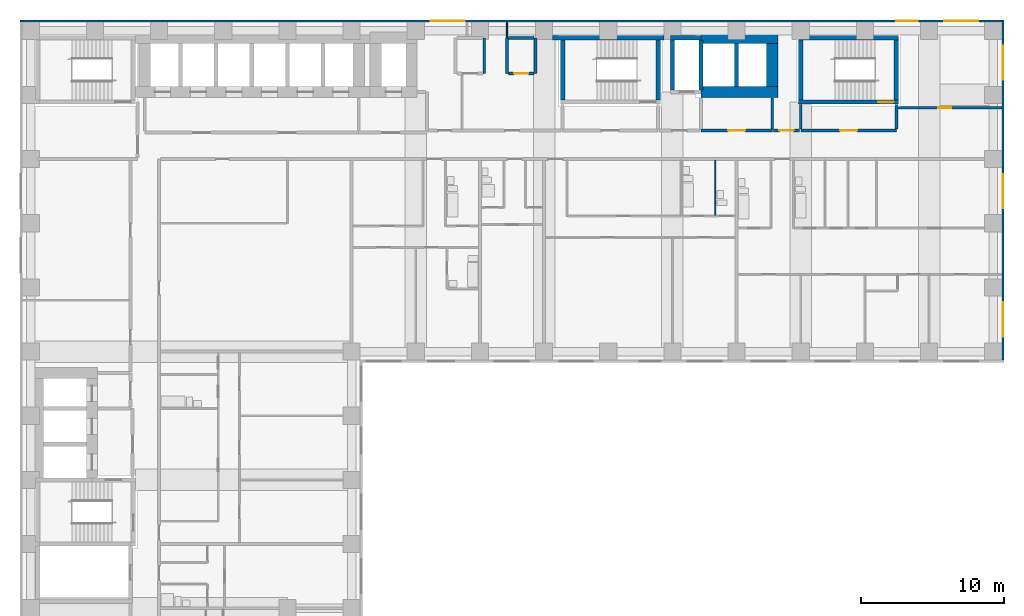
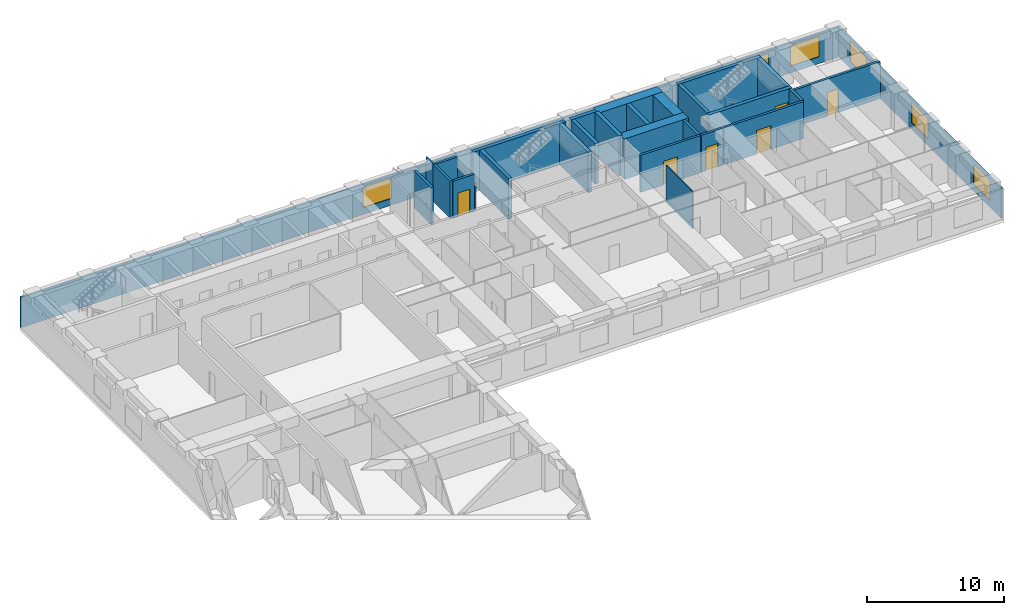
# One storey, part 8 of 11: 30 walls, 6 doors, 6 windows, 12 openings.
"""IFC4 building model written with IfcOpenShell, lengths in metres."""

from ifc_helpers import new_model, si_unit, direction, frame, frame_2d, origin, place, context, subcontext, project, spatial, rectangle, extrude, material, layer, layer_set, type_object, element, fill, save


model = new_model("IFC4")

# Units and contexts
model_context = context("Model", 3, precision=1e-05, world=origin(), true_north=direction((0.0, 1.0)))
body_context = subcontext(model_context, "Body", "Model", "MODEL_VIEW")
ifc_project = project(units=[si_unit("LENGTHUNIT", "METRE"), si_unit("AREAUNIT", "SQUARE_METRE"), si_unit("VOLUMEUNIT", "CUBIC_METRE"), si_unit("PLANEANGLEUNIT", "RADIAN"), si_unit("MASSUNIT", "GRAM", prefix="KILO")], contexts=[model_context])

# Site, building, storey
site_placement = place(None, origin())
site = spatial("IfcSite", under=ifc_project, at=site_placement, CompositionType="ELEMENT")
building_placement = place(site_placement, origin())
building = spatial("IfcBuilding", under=site, at=building_placement, Name="Firuza Court", CompositionType="ELEMENT")
storey_placement = place(building_placement, frame((0.0, 0.0, 79.39990234375)))
storey = spatial("IfcBuildingStorey", under=building, at=storey_placement, Name="L19", CompositionType="ELEMENT", Elevation=79.39990234375)

# Walls
ifc_material_1 = material(Name="Moisture-resistant gypsum board partition")
ifc_layer_1 = layer(ifc_material_1, 0.10009765625)
ifc_layer_set_1 = layer_set([ifc_layer_1], Name="Moisture-resistant gypsum board partition")
wall_type_1 = type_object("IfcWallType", Name="Bathroom partition 100", PredefinedType="PLUMBINGWALL", material=ifc_layer_set_1)
wall_1_placement = place(storey_placement, frame((48.0, 45.550048828125, 0.0), z_axis=(0.0, 0.0, 1.0), x_axis=(0.0, 1.0, 0.0)))
element("IfcWall", 1, at=wall_1_placement, inside=storey, type_object=wall_type_1, Name="Bathroom partition 100 L19", PredefinedType="PLUMBINGWALL", context=body_context, shape_type="SweptSolid", body=[
    extrude(rectangle(XDim=3.849853515625, YDim=0.10009765625, at=frame_2d((1.9248046875, 0.0))), origin(), (0.0, 0.0, 1.0), 3.300048828125),
])
ifc_material_2 = material(Name="Concrete C60/75", Category="concrete")
ifc_layer_2 = layer(ifc_material_2, 0.300048828125)
ifc_layer_set_2 = layer_set([ifc_layer_2], Name="Concrete C60/75")
wall_type_2 = type_object("IfcWallType", Name="Core wall 300 C60/75", PredefinedType="SHEAR", material=ifc_layer_set_2)
wall_2_placement = place(storey_placement, frame((36.60009765625, 58.0, -0.2998046875), z_axis=(0.0, 0.0, 1.0), x_axis=(1.0, 0.0, 0.0)))
element("IfcWall", 2, at=wall_2_placement, inside=storey, type_object=wall_type_2, Name="Core wall stair L19", PredefinedType="SHEAR", context=body_context, shape_type="SweptSolid", body=[
    extrude(rectangle(XDim=7.7998046875, YDim=0.300048828125, at=frame_2d((3.89990234375, 0.0))), origin(), (0.0, 0.0, 1.0), 3.599853515625),
])
for number, where, z_axis, x_axis, name in (
    (3, (37.300048828125, 53.64990234375, -0.2998046875), (0.0, 0.0, 1.0), (0.0, 1.0, 0.0), "Core wall stair L19"),
    (4, (44.0, 53.64990234375, -0.2998046875), (0.0, 0.0, 1.0), (0.0, 1.0, 0.0), "Core wall stair L19"),
):
    element("IfcWall", number, at=place(storey_placement, frame(where, z_axis=z_axis, x_axis=x_axis)), inside=storey, type_object=wall_type_2, Name=name, PredefinedType="SHEAR", context=body_context, shape_type="SweptSolid", body=[
        extrude(rectangle(XDim=4.2001953125, YDim=0.300048828125, at=frame_2d((2.10009765625, 0.0))), origin(), (0.0, 0.0, 1.0), 3.599853515625),
    ])
wall_3_placement = place(storey_placement, frame((44.85009765625, 58.0, -0.2998046875), z_axis=(0.0, 0.0, 1.0), x_axis=(1.0, 0.0, 0.0)))
element("IfcWall", 5, at=wall_3_placement, inside=storey, type_object=wall_type_2, Name="Core wall riser L19", PredefinedType="SHEAR", context=body_context, shape_type="SweptSolid", body=[
    extrude(rectangle(XDim=2.14990234375, YDim=0.300048828125, at=frame_2d((1.074951171875, 0.0))), origin(), (0.0, 0.0, 1.0), 3.599853515625),
])
for number, where, z_axis, x_axis, name in (
    (6, (45.0, 54.35009765625, -0.2998046875), (0.0, 0.0, 1.0), (0.0, 1.0, 0.0), "Core wall riser L19"),
    (7, (47.0, 54.35009765625, -0.2998046875), (0.0, 0.0, 1.0), (0.0, 1.0, 0.0), "Core wall lift shaft L19"),
):
    element("IfcWall", number, at=place(storey_placement, frame(where, z_axis=z_axis, x_axis=x_axis)), inside=storey, type_object=wall_type_2, Name=name, PredefinedType="SHEAR", context=body_context, shape_type="SweptSolid", body=[
        extrude(rectangle(XDim=3.5, YDim=0.300048828125, at=frame_2d((1.75, 0.0))), origin(), (0.0, 0.0, 1.0), 3.599853515625),
    ])
wall_4_placement = place(storey_placement, frame((49.5, 54.60009765625, -0.2998046875), z_axis=(0.0, 0.0, 1.0), x_axis=(0.0, 1.0, 0.0)))
element("IfcWall", 8, at=wall_4_placement, inside=storey, type_object=wall_type_2, Name="Core wall lift shaft L19", PredefinedType="SHEAR", context=body_context, shape_type="SweptSolid", body=[
    extrude(rectangle(XDim=3.0, YDim=0.300048828125, at=frame_2d((1.5, 0.0))), origin(), (0.0, 0.0, 1.0), 3.599853515625),
])

# Wall, opening, door
wall_5_placement = place(storey_placement, frame((53.85009765625, 53.5, -0.2998046875), z_axis=(0.0, 0.0, 1.0), x_axis=(1.0, 0.0, 0.0)))
wall_5 = element("IfcWall", 9, at=wall_5_placement, inside=storey, type_object=wall_type_2, Name="Core wall stair L19", PredefinedType="SHEAR", context=body_context, shape_type="SweptSolid", body=[
    extrude(rectangle(XDim=7.0, YDim=0.300048828125, at=frame_2d((3.5, 0.0))), origin(), (0.0, 0.0, 1.0), 3.599853515625),
])
opening_1_placement = place(wall_5_placement, frame((5.580078125, 0.0, 0.300048828125)))
opening_1 = element("IfcOpeningElement", 10, at=opening_1_placement, cuts=wall_5, Name="Opening D19017", PredefinedType="OPENING", context=body_context, shape_type="SweptSolid", body=[
    extrude(rectangle(XDim=1.10009765625, YDim=2.10009765625, at=frame_2d((0.550048828125, 1.050048828125))), frame((0.0, 0.162109375, 0.0), z_axis=(0.0, -1.0, 0.0), x_axis=(1.0, 0.0, 0.0)), (0.0, 0.0, 1.0), 0.323974609375),
])
ifc_material_3 = material(Name="Timber door leaf in hardwood frame", Category="wood")
door_type_1 = type_object("IfcDoorType", Name="Stair door 1100", OperationType="SINGLE_SWING_LEFT", PredefinedType="DOOR", material=ifc_material_3)
door_1_placement = place(opening_1_placement, origin())
door_1 = element("IfcDoor", 11, at=door_1_placement, inside=storey, type_object=door_type_1, Name="Stair door S4", OperationType="SINGLE_SWING_RIGHT", OverallHeight=2.10009765625, OverallWidth=1.10009765625, PredefinedType="DOOR", context=body_context, shape_type="SweptSolid", body=[
    extrude(rectangle(XDim=1.10009765625, YDim=2.10009765625, at=frame_2d((0.550048828125, 1.050048828125))), frame((0.0, 0.02490234375, 0.0), z_axis=(0.0, -1.0, 0.0), x_axis=(1.0, 0.0, 0.0)), (0.0, 0.0, 1.0), 0.050048828125),
])
fill(opening_1, door_1)

# Walls
wall_6_placement = place(storey_placement, frame((53.85009765625, 58.0, -0.2998046875), z_axis=(0.0, 0.0, 1.0), x_axis=(1.0, 0.0, 0.0)))
element("IfcWall", 12, at=wall_6_placement, inside=storey, type_object=wall_type_2, Name="Core wall stair L19", PredefinedType="SHEAR", context=body_context, shape_type="SweptSolid", body=[
    extrude(rectangle(XDim=7.0, YDim=0.300048828125, at=frame_2d((3.5, 0.0))), origin(), (0.0, 0.0, 1.0), 3.599853515625),
])
for number, where, z_axis, x_axis, name in (
    (13, (54.0, 53.64990234375, -0.2998046875), (0.0, 0.0, 1.0), (0.0, 1.0, 0.0), "Core wall stair L19"),
    (14, (60.699951171875, 53.64990234375, -0.2998046875), (0.0, 0.0, 1.0), (0.0, 1.0, 0.0), "Core wall stair L19"),
):
    element("IfcWall", number, at=place(storey_placement, frame(where, z_axis=z_axis, x_axis=x_axis)), inside=storey, type_object=wall_type_2, Name=name, PredefinedType="SHEAR", context=body_context, shape_type="SweptSolid", body=[
        extrude(rectangle(XDim=4.2001953125, YDim=0.300048828125, at=frame_2d((2.10009765625, 0.0))), origin(), (0.0, 0.0, 1.0), 3.599853515625),
    ])
ifc_layer_3 = layer(ifc_material_2, 0.800048828125)
ifc_layer_set_3 = layer_set([ifc_layer_3], Name="Concrete C60/75")
wall_type_3 = type_object("IfcWallType", Name="Core wall 800 C60/75", PredefinedType="SHEAR", material=ifc_layer_set_3)
for number, where, z_axis, x_axis, name in (
    (15, (47.0, 54.199951171875, -0.2998046875), (0.0, 0.0, 1.0), (1.0, 0.0, 0.0), "Core wall lift shaft L19"),
    (16, (47.0, 58.0, -0.2998046875), (0.0, 0.0, 1.0), (1.0, 0.0, 0.0), "Core wall lift shaft L19"),
):
    element("IfcWall", number, at=place(storey_placement, frame(where, z_axis=z_axis, x_axis=x_axis)), inside=storey, type_object=wall_type_3, Name=name, PredefinedType="SHEAR", context=body_context, shape_type="SweptSolid", body=[
        extrude(rectangle(XDim=5.39990234375, YDim=0.800048828125, at=frame_2d((2.699951171875, 0.0))), origin(), (0.0, 0.0, 1.0), 3.599853515625),
    ])
wall_7_placement = place(storey_placement, frame((52.0, 54.60009765625, -0.2998046875), z_axis=(0.0, 0.0, 1.0), x_axis=(0.0, 1.0, 0.0)))
element("IfcWall", 17, at=wall_7_placement, inside=storey, type_object=wall_type_3, Name="Core wall lift shaft L19", PredefinedType="SHEAR", context=body_context, shape_type="SweptSolid", body=[
    extrude(rectangle(XDim=3.0, YDim=0.800048828125, at=frame_2d((1.5, 0.0))), origin(), (0.0, 0.0, 1.0), 3.599853515625),
])

# Wall, opening, door
ifc_material_4 = material(Name="Blockwork, plastered both sides", Category="masonry")
ifc_layer_4 = layer(ifc_material_4, 0.199951171875)
ifc_layer_set_4 = layer_set([ifc_layer_4], Name="Blockwork, plastered both sides")
wall_type_4 = type_object("IfcWallType", Name="Corridor wall 200", PredefinedType="PARTITIONING", material=ifc_layer_set_4)
wall_8_placement = place(storey_placement, frame((52.10009765625, 51.5, 0.0), z_axis=(0.0, 0.0, 1.0), x_axis=(1.0, 0.0, 0.0)))
wall_8 = element("IfcWall", 18, at=wall_8_placement, inside=storey, type_object=wall_type_4, Name="Corridor wall 200 L19", PredefinedType="PARTITIONING", context=body_context, shape_type="SweptSolid", body=[
    extrude(rectangle(XDim=1.7998046875, YDim=0.199951171875, at=frame_2d((0.89990234375, 0.0))), origin(), (0.0, 0.0, 1.0), 3.300048828125),
])
opening_2_placement = place(wall_8_placement, frame((0.39990234375, 0.0, 0.0)))
opening_2 = element("IfcOpeningElement", 19, at=opening_2_placement, cuts=wall_8, Name="Opening D19074", PredefinedType="OPENING", context=body_context, shape_type="SweptSolid", body=[
    extrude(rectangle(XDim=1.0, YDim=2.10009765625, at=frame_2d((0.5, 1.050048828125))), frame((0.0, 0.11181640625, 0.0), z_axis=(0.0, -1.0, 0.0), x_axis=(1.0, 0.0, 0.0)), (0.0, 0.0, 1.0), 0.223876953125),
])
ifc_material_5 = material(Name="Timber door leaf in hardwood frame", Category="wood")
door_type_2 = type_object("IfcDoorType", Name="Store door 1000", OperationType="SINGLE_SWING_LEFT", PredefinedType="DOOR", material=ifc_material_5)
door_2_placement = place(opening_2_placement, origin())
door_2 = element("IfcDoor", 20, at=door_2_placement, inside=storey, type_object=door_type_2, Name="Cleaner's store door", OperationType="SINGLE_SWING_LEFT", OverallHeight=2.10009765625, OverallWidth=1.0, PredefinedType="DOOR", context=body_context, shape_type="SweptSolid", body=[
    extrude(rectangle(XDim=1.0, YDim=2.10009765625, at=frame_2d((0.5, 1.050048828125))), frame((0.0, 0.02490234375, 0.0), z_axis=(0.0, -1.0, 0.0), x_axis=(1.0, 0.0, 0.0)), (0.0, 0.0, 1.0), 0.050048828125),
])
fill(opening_2, door_2)

wall_9_placement = place(storey_placement, frame((60.800048828125, 53.10009765625, 0.0), z_axis=(0.0, 0.0, 1.0), x_axis=(1.0, 0.0, 0.0)))
wall_9 = element("IfcWall", 21, at=wall_9_placement, inside=storey, type_object=wall_type_4, Name="Corridor wall 200 L19", PredefinedType="PARTITIONING", context=body_context, shape_type="SweptSolid", body=[
    extrude(rectangle(XDim=7.300048828125, YDim=0.199951171875, at=frame_2d((3.64990234375, 0.0))), origin(), (0.0, 0.0, 1.0), 3.300048828125),
])
opening_3_placement = place(wall_9_placement, frame((2.85009765625, 0.0, 0.0)))
opening_3 = element("IfcOpeningElement", 22, at=opening_3_placement, cuts=wall_9, Name="Opening D19075", PredefinedType="OPENING", context=body_context, shape_type="SweptSolid", body=[
    extrude(rectangle(XDim=0.89990234375, YDim=2.10009765625, at=frame_2d((0.449951171875, 1.050048828125))), frame((0.0, 0.11181640625, 0.0), z_axis=(0.0, -1.0, 0.0), x_axis=(1.0, 0.0, 0.0)), (0.0, 0.0, 1.0), 0.223876953125),
])
ifc_material_6 = material(Name="Timber door leaf in hardwood frame", Category="wood")
door_type_3 = type_object("IfcDoorType", Name="Room door 900 EI 30", OperationType="SINGLE_SWING_LEFT", PredefinedType="DOOR", material=ifc_material_6)
door_3_placement = place(opening_3_placement, origin())
door_3 = element("IfcDoor", 23, at=door_3_placement, inside=storey, type_object=door_type_3, Name="Meeting room door", OperationType="SINGLE_SWING_LEFT", OverallHeight=2.10009765625, OverallWidth=0.89990234375, PredefinedType="DOOR", context=body_context, shape_type="SweptSolid", body=[
    extrude(rectangle(XDim=0.89990234375, YDim=2.10009765625, at=frame_2d((0.449951171875, 1.050048828125))), frame((0.0, 0.02490234375, 0.0), z_axis=(0.0, -1.0, 0.0), x_axis=(1.0, 0.0, 0.0)), (0.0, 0.0, 1.0), 0.050048828125),
])
fill(opening_3, door_3)

# Walls
ifc_material_7 = material(Name="Timber stud partition, plasterboard both sides", Category="wood")
ifc_layer_5 = layer(ifc_material_7, 0.10009765625)
ifc_layer_set_5 = layer_set([ifc_layer_5], Name="Timber stud partition, plasterboard both sides")
wall_type_5 = type_object("IfcWallType", Name="Partition wall 100", PredefinedType="PARTITIONING", material=ifc_layer_set_5)
wall_10_placement = place(storey_placement, frame((33.39990234375, 58.0, 0.0), z_axis=(0.0, 0.0, 1.0), x_axis=(0.0, 1.0, 0.0)))
element("IfcWall", 24, at=wall_10_placement, inside=storey, type_object=wall_type_5, Name="Partition wall 100 L19", PredefinedType="PARTITIONING", context=body_context, shape_type="SweptSolid", body=[
    extrude(rectangle(XDim=1.10009765625, YDim=0.10009765625, at=frame_2d((0.550048828125, 0.0))), origin(), (0.0, 0.0, 1.0), 3.300048828125),
])
ifc_material_8 = material(Name="Blockwork, fire-rated", Category="masonry")
ifc_layer_6 = layer(ifc_material_8, 0.199951171875)
ifc_layer_set_6 = layer_set([ifc_layer_6], Name="Blockwork, fire-rated")
wall_type_6 = type_object("IfcWallType", Name="Plant room wall 200", PredefinedType="PARTITIONING", material=ifc_layer_set_6)
for number, where, z_axis, x_axis, name in (
    (25, (31.800048828125, 55.5, 0.0), (0.0, 0.0, 1.0), (0.0, 1.0, 0.0), "Plant room wall 200 L19"),
    (26, (33.39990234375, 55.5, 0.0), (0.0, 0.0, 1.0), (0.0, 1.0, 0.0), "Plant room wall 200 L19"),
):
    element("IfcWall", number, at=place(storey_placement, frame(where, z_axis=z_axis, x_axis=x_axis)), inside=storey, type_object=wall_type_6, Name=name, PredefinedType="PARTITIONING", context=body_context, shape_type="SweptSolid", body=[
        extrude(rectangle(XDim=2.5, YDim=0.199951171875, at=frame_2d((1.25, 0.0))), origin(), (0.0, 0.0, 1.0), 3.300048828125),
    ])

# Wall, opening, door
wall_11_placement = place(storey_placement, frame((33.5, 55.5, 0.0), z_axis=(0.0, 0.0, 1.0), x_axis=(1.0, 0.0, 0.0)))
wall_11 = element("IfcWall", 27, at=wall_11_placement, inside=storey, type_object=wall_type_6, Name="Plant room wall 200 L19", PredefinedType="PARTITIONING", context=body_context, shape_type="SweptSolid", body=[
    extrude(rectangle(XDim=1.800048828125, YDim=0.199951171875, at=frame_2d((0.89990234375, 0.0))), origin(), (0.0, 0.0, 1.0), 3.300048828125),
])
opening_4_placement = place(wall_11_placement, frame((0.39990234375, 0.0, 0.0)))
opening_4 = element("IfcOpeningElement", 28, at=opening_4_placement, cuts=wall_11, Name="Opening D19077", PredefinedType="OPENING", context=body_context, shape_type="SweptSolid", body=[
    extrude(rectangle(XDim=1.0, YDim=2.10009765625, at=frame_2d((0.5, 1.050048828125))), frame((0.0, 0.11181640625, 0.0), z_axis=(0.0, -1.0, 0.0), x_axis=(1.0, 0.0, 0.0)), (0.0, 0.0, 1.0), 0.223876953125),
])
ifc_material_9 = material(Name="Timber door leaf in hardwood frame", Category="wood")
door_type_4 = type_object("IfcDoorType", Name="Riser door 1000", OperationType="SINGLE_SWING_LEFT", PredefinedType="DOOR", material=ifc_material_9)
door_4_placement = place(opening_4_placement, origin())
door_4 = element("IfcDoor", 29, at=door_4_placement, inside=storey, type_object=door_type_4, Name="Duct riser door", OperationType="SINGLE_SWING_LEFT", OverallHeight=2.10009765625, OverallWidth=1.0, PredefinedType="DOOR", context=body_context, shape_type="SweptSolid", body=[
    extrude(rectangle(XDim=1.0, YDim=2.10009765625, at=frame_2d((0.5, 1.050048828125))), frame((0.0, 0.02490234375, 0.0), z_axis=(0.0, -1.0, 0.0), x_axis=(1.0, 0.0, 0.0)), (0.0, 0.0, 1.0), 0.050048828125),
])
fill(opening_4, door_4)

# Walls
wall_12_placement = place(storey_placement, frame((35.39990234375, 55.5, 0.0), z_axis=(0.0, 0.0, 1.0), x_axis=(0.0, 1.0, 0.0)))
element("IfcWall", 30, at=wall_12_placement, inside=storey, type_object=wall_type_6, Name="Plant room wall 200 L19", PredefinedType="PARTITIONING", context=body_context, shape_type="SweptSolid", body=[
    extrude(rectangle(XDim=2.5, YDim=0.199951171875, at=frame_2d((1.25, 0.0))), origin(), (0.0, 0.0, 1.0), 2.400146484375),
])
wall_13_placement = place(storey_placement, frame((33.5, 58.0, 0.0), z_axis=(0.0, 0.0, 1.0), x_axis=(1.0, 0.0, 0.0)))
element("IfcWall", 31, at=wall_13_placement, inside=storey, type_object=wall_type_6, Name="Plant room wall 200 L19", PredefinedType="PARTITIONING", context=body_context, shape_type="SweptSolid", body=[
    extrude(rectangle(XDim=1.800048828125, YDim=0.199951171875, at=frame_2d((0.89990234375, 0.0))), origin(), (0.0, 0.0, 1.0), 3.300048828125),
])

# Wall, openings, windows
ifc_material_10 = material(Name="Ceramic tile", Category="ceramic")
ifc_layer_7 = layer(ifc_material_10, 0.02001953125)
ifc_material_11 = material(Name="Mineral wool insulation", Category="insulation")
ifc_layer_8 = layer(ifc_material_11, 0.050048828125)
ifc_material_12 = material(Name="Concrete C40/50 precast", Category="concrete")
ifc_layer_9 = layer(ifc_material_12, 0.080078125)
ifc_layer_set_7 = layer_set([ifc_layer_7, ifc_layer_8, ifc_layer_9], Name="Concrete C40/50 precast")
wall_type_7 = type_object("IfcWallType", Name="Precast cladding wall with turquoise TILE PANEL face 150", PredefinedType="STANDARD", material=ifc_layer_set_7)
wall_14_placement = place(storey_placement, frame((68.175048828125, 35.39990234375, 0.0), z_axis=(0.0, 0.0, 1.0), x_axis=(0.0, 1.0, 0.0)))
wall_14 = element("IfcWall", 32, at=wall_14_placement, inside=storey, type_object=wall_type_7, Name="Facade wall L19 E", PredefinedType="STANDARD", context=body_context, shape_type="SweptSolid", body=[
    extrude(rectangle(XDim=23.85009765625, YDim=0.14990234375, at=frame_2d((11.925048828125, 0.0))), origin(), (0.0, 0.0, 1.0), 2.7001953125),
])
opening_5_placement = place(wall_14_placement, frame((1.64990234375, 0.0, 0.60009765625)))
opening_5 = element("IfcOpeningElement", 33, at=opening_5_placement, cuts=wall_14, Name="Opening W1", PredefinedType="OPENING", context=body_context, shape_type="SweptSolid", body=[
    extrude(rectangle(XDim=2.39990234375, YDim=1.800048828125, at=frame_2d((1.199951171875, 0.89990234375))), frame((0.0, 0.0869140625, 0.0), z_axis=(0.0, -1.0, 0.0), x_axis=(1.0, 0.0, 0.0)), (0.0, 0.0, 1.0), 0.173828125),
])
opening_6_placement = place(wall_14_placement, frame((10.64990234375, 0.0, 0.60009765625)))
opening_6 = element("IfcOpeningElement", 34, at=opening_6_placement, cuts=wall_14, Name="Opening W1", PredefinedType="OPENING", context=body_context, shape_type="SweptSolid", body=[
    extrude(rectangle(XDim=2.39990234375, YDim=1.800048828125, at=frame_2d((1.199951171875, 0.89990234375))), frame((0.0, 0.0869140625, 0.0), z_axis=(0.0, -1.0, 0.0), x_axis=(1.0, 0.0, 0.0)), (0.0, 0.0, 1.0), 0.173828125),
])
opening_7_placement = place(wall_14_placement, frame((19.64990234375, 0.0, 0.60009765625)))
opening_7 = element("IfcOpeningElement", 35, at=opening_7_placement, cuts=wall_14, Name="Opening W1", PredefinedType="OPENING", context=body_context, shape_type="SweptSolid", body=[
    extrude(rectangle(XDim=2.39990234375, YDim=1.800048828125, at=frame_2d((1.199951171875, 0.89990234375))), frame((0.0, 0.0869140625, 0.0), z_axis=(0.0, -1.0, 0.0), x_axis=(1.0, 0.0, 0.0)), (0.0, 0.0, 1.0), 0.173828125),
])
ifc_material_13 = material(Name="Aluminium frame, triple clear glazing", Category="aluminium")
window_type_1 = type_object("IfcWindowType", Name="Window W1 2400 x 1800", PartitioningType="SINGLE_PANEL", PredefinedType="WINDOW", material=ifc_material_13)
window_1_placement = place(opening_5_placement, origin())
window_1 = element("IfcWindow", 36, at=window_1_placement, inside=storey, type_object=window_type_1, Name="Window L19", OverallHeight=1.800048828125, OverallWidth=2.39990234375, PartitioningType="SINGLE_PANEL", PredefinedType="WINDOW", context=body_context, shape_type="SweptSolid", body=[
    extrude(rectangle(XDim=2.39990234375, YDim=1.800048828125, at=frame_2d((1.199951171875, 0.89990234375))), frame((0.0, 0.030029296875, 0.0), z_axis=(0.0, -1.0, 0.0), x_axis=(1.0, 0.0, 0.0)), (0.0, 0.0, 1.0), 0.06005859375),
])
fill(opening_5, window_1)
window_2_placement = place(opening_6_placement, origin())
window_2 = element("IfcWindow", 37, at=window_2_placement, inside=storey, type_object=window_type_1, Name="Window L19", OverallHeight=1.800048828125, OverallWidth=2.39990234375, PartitioningType="SINGLE_PANEL", PredefinedType="WINDOW", context=body_context, shape_type="SweptSolid", body=[
    extrude(rectangle(XDim=2.39990234375, YDim=1.800048828125, at=frame_2d((1.199951171875, 0.89990234375))), frame((0.0, 0.030029296875, 0.0), z_axis=(0.0, -1.0, 0.0), x_axis=(1.0, 0.0, 0.0)), (0.0, 0.0, 1.0), 0.06005859375),
])
fill(opening_6, window_2)
window_3_placement = place(opening_7_placement, origin())
window_3 = element("IfcWindow", 38, at=window_3_placement, inside=storey, type_object=window_type_1, Name="Window L19", OverallHeight=1.800048828125, OverallWidth=2.39990234375, PartitioningType="SINGLE_PANEL", PredefinedType="WINDOW", context=body_context, shape_type="SweptSolid", body=[
    extrude(rectangle(XDim=2.39990234375, YDim=1.800048828125, at=frame_2d((1.199951171875, 0.89990234375))), frame((0.0, 0.030029296875, 0.0), z_axis=(0.0, -1.0, 0.0), x_axis=(1.0, 0.0, 0.0)), (0.0, 0.0, 1.0), 0.06005859375),
])
fill(opening_7, window_3)

wall_15_placement = place(storey_placement, frame((68.10009765625, 59.175048828125, 0.0), z_axis=(0.0, 0.0, 1.0), x_axis=(-1.0, 0.0, 0.0)))
wall_15 = element("IfcWall", 39, at=wall_15_placement, inside=storey, type_object=wall_type_7, Name="Facade wall L19 N", PredefinedType="STANDARD", context=body_context, shape_type="SweptSolid", body=[
    extrude(rectangle(XDim=68.85009765625, YDim=0.14990234375, at=frame_2d((34.425048828125, 0.0))), origin(), (0.0, 0.0, 1.0), 2.7001953125),
])
opening_8_placement = place(wall_15_placement, frame((1.64990234375, 0.0, 0.60009765625)))
opening_8 = element("IfcOpeningElement", 40, at=opening_8_placement, cuts=wall_15, Name="Opening W1", PredefinedType="OPENING", context=body_context, shape_type="SweptSolid", body=[
    extrude(rectangle(XDim=2.39990234375, YDim=1.800048828125, at=frame_2d((1.199951171875, 0.89990234375))), frame((0.0, 0.0869140625, 0.0), z_axis=(0.0, -1.0, 0.0), x_axis=(1.0, 0.0, 0.0)), (0.0, 0.0, 1.0), 0.173828125),
])
opening_9_placement = place(wall_15_placement, frame((5.9033203125, 0.0, 0.60009765625)))
opening_9 = element("IfcOpeningElement", 41, at=opening_9_placement, cuts=wall_15, Name="Opening W2", PredefinedType="OPENING", context=body_context, shape_type="SweptSolid", body=[
    extrude(rectangle(XDim=1.5, YDim=1.800048828125, at=frame_2d((0.75, 0.89990234375))), frame((0.0, 0.0869140625, 0.0), z_axis=(0.0, -1.0, 0.0), x_axis=(1.0, 0.0, 0.0)), (0.0, 0.0, 1.0), 0.173828125),
])
opening_10_placement = place(wall_15_placement, frame((37.64990234375, 0.0, 0.60009765625)))
opening_10 = element("IfcOpeningElement", 42, at=opening_10_placement, cuts=wall_15, Name="Opening W1", PredefinedType="OPENING", context=body_context, shape_type="SweptSolid", body=[
    extrude(rectangle(XDim=2.39990234375, YDim=1.800048828125, at=frame_2d((1.199951171875, 0.89990234375))), frame((0.0, 0.0869140625, 0.0), z_axis=(0.0, -1.0, 0.0), x_axis=(1.0, 0.0, 0.0)), (0.0, 0.0, 1.0), 0.173828125),
])
window_4_placement = place(opening_8_placement, origin())
window_4 = element("IfcWindow", 43, at=window_4_placement, inside=storey, type_object=window_type_1, Name="Window L19", OverallHeight=1.800048828125, OverallWidth=2.39990234375, PartitioningType="SINGLE_PANEL", PredefinedType="WINDOW", context=body_context, shape_type="SweptSolid", body=[
    extrude(rectangle(XDim=2.39990234375, YDim=1.800048828125, at=frame_2d((1.199951171875, 0.89990234375))), frame((0.0, 0.030029296875, 0.0), z_axis=(0.0, -1.0, 0.0), x_axis=(1.0, 0.0, 0.0)), (0.0, 0.0, 1.0), 0.06005859375),
])
fill(opening_8, window_4)
window_5_placement = place(opening_10_placement, origin())
window_5 = element("IfcWindow", 44, at=window_5_placement, inside=storey, type_object=window_type_1, Name="Window L19", OverallHeight=1.800048828125, OverallWidth=2.39990234375, PartitioningType="SINGLE_PANEL", PredefinedType="WINDOW", context=body_context, shape_type="SweptSolid", body=[
    extrude(rectangle(XDim=2.39990234375, YDim=1.800048828125, at=frame_2d((1.199951171875, 0.89990234375))), frame((0.0, 0.030029296875, 0.0), z_axis=(0.0, -1.0, 0.0), x_axis=(1.0, 0.0, 0.0)), (0.0, 0.0, 1.0), 0.06005859375),
])
fill(opening_10, window_5)
ifc_material_14 = material(Name="Aluminium frame, triple clear glazing", Category="aluminium")
window_type_2 = type_object("IfcWindowType", Name="Window W2 1500 x 1800", PartitioningType="SINGLE_PANEL", PredefinedType="WINDOW", material=ifc_material_14)
window_6_placement = place(opening_9_placement, origin())
window_6 = element("IfcWindow", 45, at=window_6_placement, inside=storey, type_object=window_type_2, Name="Window L19", OverallHeight=1.800048828125, OverallWidth=1.5, PartitioningType="SINGLE_PANEL", PredefinedType="WINDOW", context=body_context, shape_type="SweptSolid", body=[
    extrude(rectangle(XDim=1.5, YDim=1.800048828125, at=frame_2d((0.75, 0.89990234375))), frame((0.0, 0.030029296875, 0.0), z_axis=(0.0, -1.0, 0.0), x_axis=(1.0, 0.0, 0.0)), (0.0, 0.0, 1.0), 0.06005859375),
])
fill(opening_9, window_6)

# Wall, opening, door
ifc_layer_10 = layer(ifc_material_8, 0.199951171875)
ifc_layer_set_8 = layer_set([ifc_layer_10], Name="Blockwork, fire-rated")
wall_type_8 = type_object("IfcWallType", Name="Shaft wall 200", PredefinedType="PARTITIONING", material=ifc_layer_set_8)
wall_16_placement = place(storey_placement, frame((47.0, 51.5, 0.0), z_axis=(0.0, 0.0, 1.0), x_axis=(1.0, 0.0, 0.0)))
wall_16 = element("IfcWall", 46, at=wall_16_placement, inside=storey, type_object=wall_type_8, Name="Shaft wall 200 L19", PredefinedType="PARTITIONING", context=body_context, shape_type="SweptSolid", body=[
    extrude(rectangle(XDim=5.0, YDim=0.199951171875, at=frame_2d((2.5, 0.0))), origin(), (0.0, 0.0, 1.0), 3.300048828125),
])
opening_11_placement = place(wall_16_placement, frame((1.89990234375, 0.0, 0.0)))
opening_11 = element("IfcOpeningElement", 47, at=opening_11_placement, cuts=wall_16, Name="Opening D19009", PredefinedType="OPENING", context=body_context, shape_type="SweptSolid", body=[
    extrude(rectangle(XDim=1.199951171875, YDim=2.10009765625, at=frame_2d((0.60009765625, 1.050048828125))), frame((0.0, 0.11181640625, 0.0), z_axis=(0.0, -1.0, 0.0), x_axis=(1.0, 0.0, 0.0)), (0.0, 0.0, 1.0), 0.223876953125),
])
ifc_material_15 = material(Name="Timber door leaf in hardwood frame", Category="wood")
door_type_5 = type_object("IfcDoorType", Name="Lobby door 1200", OperationType="SINGLE_SWING_LEFT", PredefinedType="DOOR", material=ifc_material_15)
door_5_placement = place(opening_11_placement, origin())
door_5 = element("IfcDoor", 48, at=door_5_placement, inside=storey, type_object=door_type_5, Name="Lobby door", OperationType="SINGLE_SWING_LEFT", OverallHeight=2.10009765625, OverallWidth=1.199951171875, PredefinedType="DOOR", context=body_context, shape_type="SweptSolid", body=[
    extrude(rectangle(XDim=1.199951171875, YDim=2.10009765625, at=frame_2d((0.60009765625, 1.050048828125))), frame((0.0, 0.02490234375, 0.0), z_axis=(0.0, -1.0, 0.0), x_axis=(1.0, 0.0, 0.0)), (0.0, 0.0, 1.0), 0.050048828125),
])
fill(opening_11, door_5)

# Wall
wall_17_placement = place(storey_placement, frame((52.0, 51.60009765625, 0.0), z_axis=(0.0, 0.0, 1.0), x_axis=(0.0, 1.0, 0.0)))
element("IfcWall", 49, at=wall_17_placement, inside=storey, type_object=wall_type_8, Name="Shaft wall 200 L19", PredefinedType="PARTITIONING", context=body_context, shape_type="SweptSolid", body=[
    extrude(rectangle(XDim=2.179931640625, YDim=0.199951171875, at=frame_2d((1.08984375, 0.0))), origin(), (0.0, 0.0, 1.0), 3.300048828125),
])

# Wall, opening, door
wall_18_placement = place(storey_placement, frame((54.0, 51.5, 0.0), z_axis=(0.0, 0.0, 1.0), x_axis=(1.0, 0.0, 0.0)))
wall_18 = element("IfcWall", 50, at=wall_18_placement, inside=storey, type_object=wall_type_8, Name="Shaft wall 200 L19", PredefinedType="PARTITIONING", context=body_context, shape_type="SweptSolid", body=[
    extrude(rectangle(XDim=6.699951171875, YDim=0.199951171875, at=frame_2d((3.35009765625, 0.0))), origin(), (0.0, 0.0, 1.0), 3.300048828125),
])
opening_12_placement = place(wall_18_placement, frame((2.75, 0.0, 0.0)))
opening_12 = element("IfcOpeningElement", 51, at=opening_12_placement, cuts=wall_18, Name="Opening D19007", PredefinedType="OPENING", context=body_context, shape_type="SweptSolid", body=[
    extrude(rectangle(XDim=1.199951171875, YDim=2.10009765625, at=frame_2d((0.60009765625, 1.050048828125))), frame((0.0, 0.11181640625, 0.0), z_axis=(0.0, -1.0, 0.0), x_axis=(1.0, 0.0, 0.0)), (0.0, 0.0, 1.0), 0.223876953125),
])
door_6_placement = place(opening_12_placement, origin())
door_6 = element("IfcDoor", 52, at=door_6_placement, inside=storey, type_object=door_type_5, Name="Lobby door", OperationType="SINGLE_SWING_LEFT", OverallHeight=2.10009765625, OverallWidth=1.199951171875, PredefinedType="DOOR", context=body_context, shape_type="SweptSolid", body=[
    extrude(rectangle(XDim=1.199951171875, YDim=2.10009765625, at=frame_2d((0.60009765625, 1.050048828125))), frame((0.0, 0.02490234375, 0.0), z_axis=(0.0, -1.0, 0.0), x_axis=(1.0, 0.0, 0.0)), (0.0, 0.0, 1.0), 0.050048828125),
])
fill(opening_12, door_6)

# Walls
wall_19_placement = place(storey_placement, frame((60.699951171875, 51.60009765625, 0.0), z_axis=(0.0, 0.0, 1.0), x_axis=(0.0, 1.0, 0.0)))
element("IfcWall", 53, at=wall_19_placement, inside=storey, type_object=wall_type_8, Name="Shaft wall 200 L19", PredefinedType="PARTITIONING", context=body_context, shape_type="SweptSolid", body=[
    extrude(rectangle(XDim=1.72998046875, YDim=0.199951171875, at=frame_2d((0.864990234375, 0.0))), origin(), (0.0, 0.0, 1.0), 3.300048828125),
])
wall_20_placement = place(storey_placement, frame((54.0, 51.60009765625, 0.0), z_axis=(0.0, 0.0, 1.0), x_axis=(0.0, 1.0, 0.0)))
element("IfcWall", 54, at=wall_20_placement, inside=storey, type_object=wall_type_8, Name="Shaft wall 200 L19", PredefinedType="PARTITIONING", context=body_context, shape_type="SweptSolid", body=[
    extrude(rectangle(XDim=1.72998046875, YDim=0.199951171875, at=frame_2d((0.864990234375, 0.0))), origin(), (0.0, 0.0, 1.0), 2.60009765625),
])

save(model, "model.ifc")
